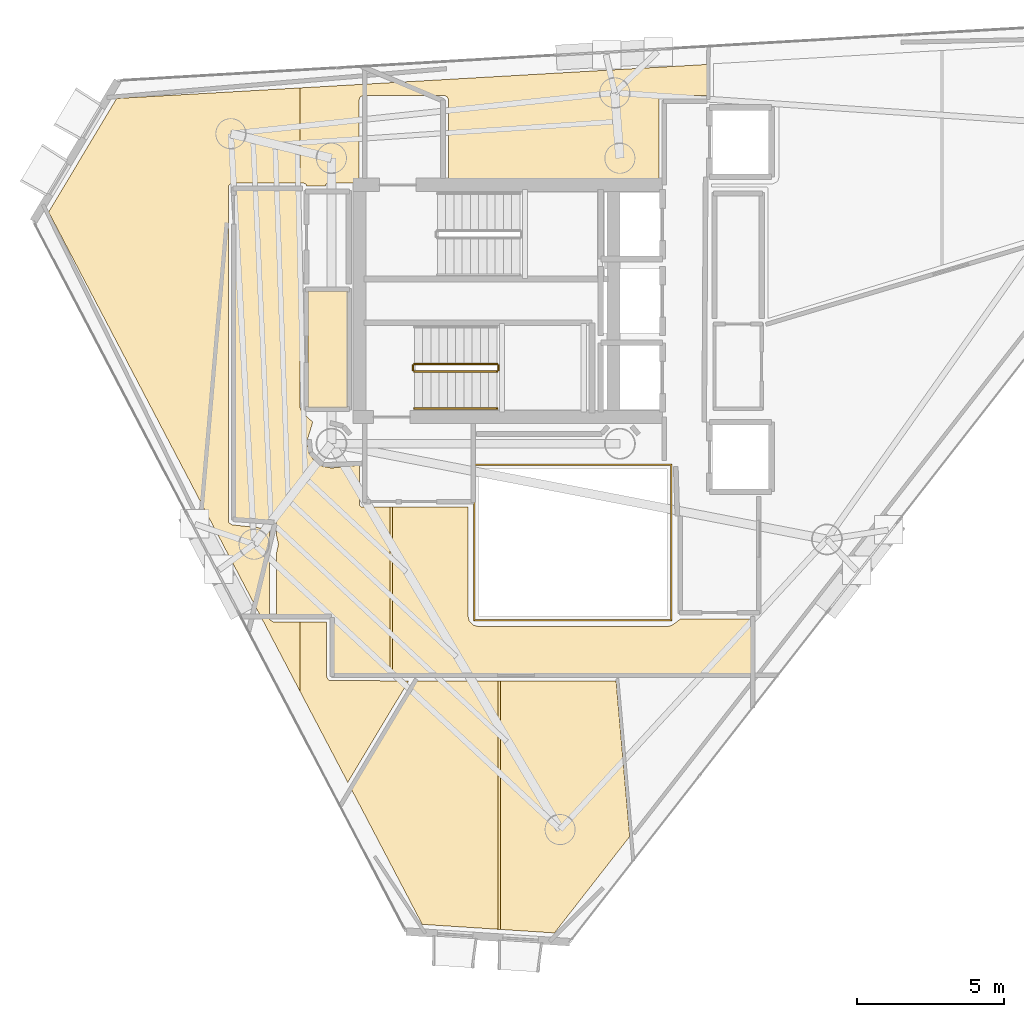
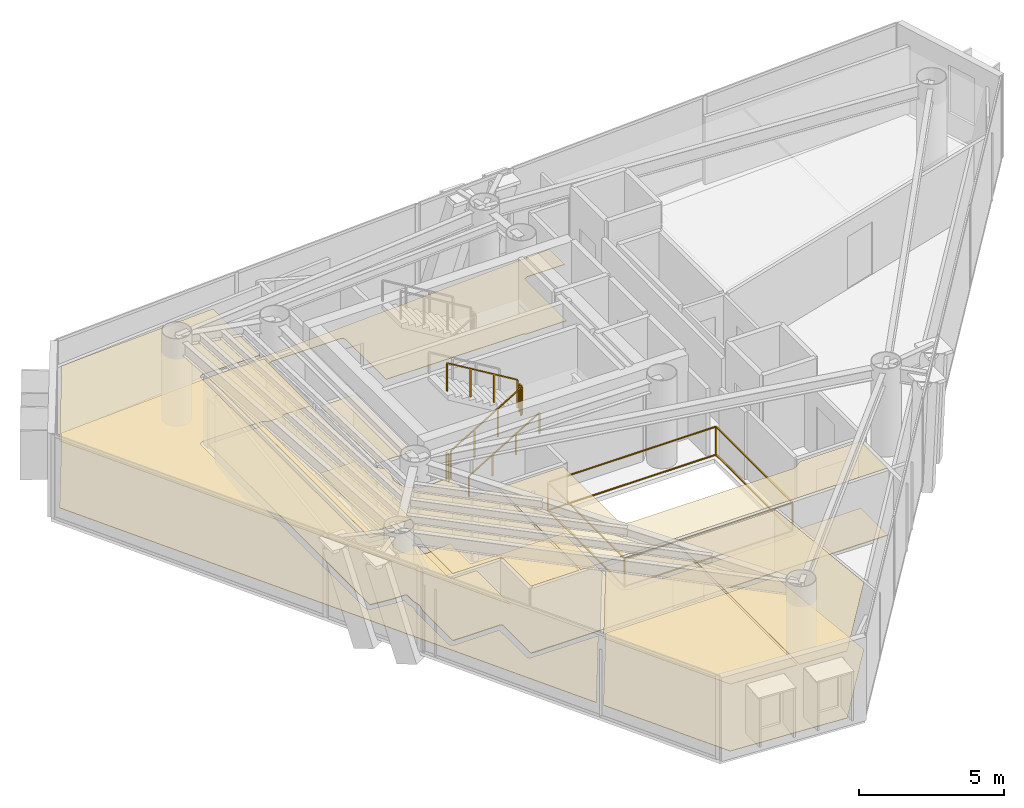
# One storey, part 17 of 18: 10 coverings, 6 railings.
"""IFC4 building model written with IfcOpenShell, lengths in metres."""

import ifcopenshell
import ifcopenshell.guid

model = None  # the IFC model being written
_history = None  # IfcOwnerHistory: only IFC2X3 demands one
_inside = {}  # id of a spatial element -> (the spatial element, [elements in it])
_under = {}  # id of a project, library or spatial element -> (it, [spatial elements below it])
_declared = {}  # id of a project -> (the project, [libraries it declares])
_typed = {}  # id of a type object -> (the type object, [elements of that type])
_made_of = {}  # id of a material, layer set ... -> (it, [elements and type objects made of it])


def new_model(schema):
    """Start an empty IFC model of exactly this schema.

    Asked for "IFC4X3", IfcOpenShell would pick the latest addendum, in which some entities
    have other attributes; the version numbers below select the first issue.
    IFC2X3 requires an IfcOwnerHistory on every rooted entity: one is made here for all.
    """
    global model, _history
    if schema == "IFC4X3":
        model = ifcopenshell.file(schema_version=(4, 3, 0, 0))
    else:
        model = ifcopenshell.file(schema=schema)
    _inside.clear()
    _under.clear()
    _declared.clear()
    _typed.clear()
    _made_of.clear()
    _history = None
    if model.schema == "IFC2X3":
        org = make("IfcOrganization", Name="unknown")
        user = make(
            "IfcPersonAndOrganization",
            ThePerson=make("IfcPerson", FamilyName="unknown"),
            TheOrganization=org,
        )
        app = make(
            "IfcApplication",
            ApplicationDeveloper=org,
            Version="unknown",
            ApplicationFullName="unknown",
            ApplicationIdentifier="unknown",
        )
        _history = make(
            "IfcOwnerHistory",
            OwningUser=user,
            OwningApplication=app,
            ChangeAction="ADDED",
            CreationDate=0,
        )
    return model


def make(cls, **values):
    """One entity of the class cls with the attributes given. An attribute that is None is left unset."""
    return model.create_entity(
        cls, **{name: value for name, value in values.items() if value is not None}
    )


def rooted(cls, **values):
    """An entity with a GlobalId (a new one), such as an element, a storey or a relation."""
    return make(cls, GlobalId=ifcopenshell.guid.new(), OwnerHistory=_history, **values)


def si_unit(unit_type, name, prefix=None):
    """IfcSIUnit, for example si_unit("LENGTHUNIT", "METRE", prefix="MILLI")."""
    return make("IfcSIUnit", UnitType=unit_type, Prefix=prefix, Name=name)


def assignment(units):
    """IfcUnitAssignment: the units of a project."""
    return None if units is None else make("IfcUnitAssignment", Units=units)


def point(xyz):
    """IfcCartesianPoint."""
    return None if xyz is None else make("IfcCartesianPoint", Coordinates=xyz)


def direction(xyz):
    """IfcDirection."""
    return None if xyz is None else make("IfcDirection", DirectionRatios=xyz)


def frame(location, z_axis=None, x_axis=None):
    """IfcAxis2Placement3D, a coordinate frame: its origin and axes. An axis left out is left unset."""
    return make(
        "IfcAxis2Placement3D",
        Location=point(location),
        Axis=direction(z_axis),
        RefDirection=direction(x_axis),
    )


def frame_2d(location, x_axis=None):
    """IfcAxis2Placement2D, a coordinate frame in the plane: its origin and x axis."""
    return make(
        "IfcAxis2Placement2D", Location=point(location), RefDirection=direction(x_axis)
    )


def origin():
    """The frame at (0, 0, 0) with its axes left unset."""
    return frame((0.0, 0.0, 0.0))


def origin_2d():
    """The frame at (0, 0) in the plane with its x axis left unset."""
    return frame_2d((0.0, 0.0))


def place(relative_to, where):
    """IfcLocalPlacement: puts the frame where relative to a parent placement (None: the world)."""
    return make(
        "IfcLocalPlacement", PlacementRelTo=relative_to, RelativePlacement=where
    )


def context(
    kind, dimensions, precision=None, world=None, true_north=None, identifier=None
):
    """IfcGeometricRepresentationContext, for example the 3D "Model" context."""
    return make(
        "IfcGeometricRepresentationContext",
        ContextIdentifier=identifier,
        ContextType=kind,
        CoordinateSpaceDimension=dimensions,
        Precision=precision,
        WorldCoordinateSystem=world,
        TrueNorth=true_north,
    )


def subcontext(parent, identifier, kind, view, scale=None):
    """IfcGeometricRepresentationSubContext, for example "Body" below "Model"."""
    return make(
        "IfcGeometricRepresentationSubContext",
        ContextIdentifier=identifier,
        ContextType=kind,
        ParentContext=parent,
        TargetScale=scale,
        TargetView=view,
    )


def project(units=None, contexts=None):
    """IfcProject with its units and contexts."""
    return rooted(
        "IfcProject",
        Name="project",
        RepresentationContexts=contexts,
        UnitsInContext=assignment(units),
    )


def spatial(cls, under=None, at=None, **own):
    """A site, building, storey or space (cls), placed at a placement, below another one or the project."""
    s = rooted(cls, ObjectPlacement=at, **own)
    if under is not None:
        _under.setdefault(under.id(), (under, []))[1].append(s)
    return s


def polyline(points):
    """IfcPolyline through the points."""
    return make("IfcPolyline", Points=[point(p) for p in points])


def profile(cls, at=None, kind="AREA", **sizes):
    """A parametric profile (cls). Its sizes go by their IFC names, for example OverallWidth=200.0."""
    return make(cls, ProfileType=kind, Position=at, **sizes)


def rectangle(**sizes):
    """IfcRectangleProfileDef."""
    return profile("IfcRectangleProfileDef", **sizes)


def outline(outer, holes=None, kind="AREA"):
    """IfcArbitraryClosedProfileDef: a profile drawn as a closed curve; with holes, ...WithVoids."""
    if holes is None:
        return make("IfcArbitraryClosedProfileDef", ProfileType=kind, OuterCurve=outer)
    return make(
        "IfcArbitraryProfileDefWithVoids",
        ProfileType=kind,
        OuterCurve=outer,
        InnerCurves=holes,
    )


def extrude(swept, where, along, depth):
    """IfcExtrudedAreaSolid: the profile swept, set in the frame where, extruded along a direction by depth."""
    return make(
        "IfcExtrudedAreaSolid",
        SweptArea=swept,
        Position=where,
        ExtrudedDirection=direction(along),
        Depth=depth,
    )


def shape(context_of_items, identifier, shape_type, items):
    """IfcShapeRepresentation: the items that make up one representation, for example the "Body"."""
    return make(
        "IfcShapeRepresentation",
        ContextOfItems=context_of_items,
        RepresentationIdentifier=identifier,
        RepresentationType=shape_type,
        Items=items,
    )


def material(Name=None, Category=None):
    """IfcMaterial."""
    return make("IfcMaterial", Name=Name, Category=Category)


def layer(
    of_material, thickness, ventilated=None, Name=None, Category=None, Priority=None
):
    """IfcMaterialLayer: one layer of a wall or slab, of a material (None: an air gap)."""
    return make(
        "IfcMaterialLayer",
        Material=of_material,
        LayerThickness=thickness,
        IsVentilated=ventilated,
        Name=Name,
        Category=Category,
        Priority=Priority,
    )


def layer_set(layers, Name=None):
    """IfcMaterialLayerSet."""
    return make("IfcMaterialLayerSet", MaterialLayers=layers, LayerSetName=Name)


def made_of(thing, what):
    """Note that an element or type object is made of a material, layer set ...; save() writes the relation."""
    if what is not None:
        _made_of.setdefault(what.id(), (what, []))[1].append(thing)
    return thing


def type_object(cls, material=None, **own):
    """A type object (cls), such as IfcWallType, which elements share."""
    return made_of(rooted(cls, **own), material)


def element(
    cls,
    number,
    at=None,
    inside=None,
    cuts=None,
    type_object=None,
    material=None,
    context=None,
    identifier="Body",
    shape_type=None,
    held_by="IfcProductDefinitionShape",
    body=None,
    shapes=None,
    **own,
):
    """One element of the class cls, such as IfcWall. Its Tag is "e" and its number.

    at: its placement. inside: the storey or other place that contains it. cuts: it is an
    opening in that element (IfcRelVoidsElement). A single representation is given by context,
    identifier, shape_type and body (its items); several are given by shapes. held_by: the class
    of the entity that holds the representations. save() writes the other relations.
    """
    e = rooted(cls, Tag="e%d" % number, ObjectPlacement=at, **own)
    if body is not None:
        shapes = [shape(context, identifier, shape_type, body)]
    if shapes is not None:
        e.Representation = make(held_by, Representations=shapes)
    if inside is not None:
        _inside.setdefault(inside.id(), (inside, []))[1].append(e)
    if cuts is not None:
        rooted(
            "IfcRelVoidsElement", RelatingBuildingElement=cuts, RelatedOpeningElement=e
        )
    if type_object is not None:
        _typed.setdefault(type_object.id(), (type_object, []))[1].append(e)
    return made_of(e, material)


def aggregate(whole, parts):
    """IfcRelAggregates: a whole, such as a stair, and the parts it consists of."""
    return rooted("IfcRelAggregates", RelatingObject=whole, RelatedObjects=parts)


def save(model, path):
    """Write the relations noted so far, then the file.

    IfcRelAggregates (storeys below a building ...), IfcRelContainedInSpatialStructure (elements
    in a storey), IfcRelDefinesByType, IfcRelAssociatesMaterial and IfcRelDeclares: one each for
    every whole, place, type object, material and project.
    """
    for whole, parts in _under.values():
        aggregate(whole, parts)
    for where, things in _inside.values():
        rooted(
            "IfcRelContainedInSpatialStructure",
            RelatedElements=things,
            RelatingStructure=where,
        )
    for kind, things in _typed.values():
        rooted("IfcRelDefinesByType", RelatedObjects=things, RelatingType=kind)
    for what, things in _made_of.values():
        rooted("IfcRelAssociatesMaterial", RelatedObjects=things, RelatingMaterial=what)
    for by, libraries in _declared.values():
        rooted("IfcRelDeclares", RelatingContext=by, RelatedDefinitions=libraries)
    model.write(path)


model = new_model("IFC4")

# Units and contexts
model_context = context("Model", 3, precision=1e-05, world=origin(), true_north=direction((0.0, 1.0)))
body_context = subcontext(model_context, "Body", "Model", "MODEL_VIEW")
ifc_project = project(units=[si_unit("LENGTHUNIT", "METRE"), si_unit("AREAUNIT", "SQUARE_METRE"), si_unit("VOLUMEUNIT", "CUBIC_METRE"), si_unit("PLANEANGLEUNIT", "RADIAN"), si_unit("MASSUNIT", "GRAM", prefix="KILO")], contexts=[model_context])

# Site, building, storey
site_placement = place(None, origin())
site = spatial("IfcSite", under=ifc_project, at=site_placement, CompositionType="ELEMENT")
building_placement = place(site_placement, origin())
building = spatial("IfcBuilding", under=site, at=building_placement, Name="Qianvela Tower", CompositionType="ELEMENT")
storey_placement = place(building_placement, frame((0.0, 0.0, 264.89990234375)))
storey = spatial("IfcBuildingStorey", under=building, at=storey_placement, Name="L68", CompositionType="ELEMENT", Elevation=264.89990234375)

# Coverings
ifc_material_1 = material(Name="Perforated Mineral Acoustic Ceiling Tile")
ifc_layer_1 = layer(ifc_material_1, 0.02490234375)
ifc_layer_set_1 = layer_set([ifc_layer_1], Name="Perforated Mineral Acoustic Ceiling Tile")
covering_type_1 = type_object("IfcCoveringType", Name="COV-CEIL-ACOUSTIC-25", PredefinedType="CEILING", material=ifc_layer_set_1)
covering_1_placement = place(storey_placement, frame((0.0, 0.0, 2.815185546875)))
element("IfcCovering", 1, at=covering_1_placement, inside=storey, type_object=covering_type_1, Name="L68 Acoustic Ceiling L68 Core Tea Pantry West", PredefinedType="CEILING", context=body_context, shape_type="SweptSolid", body=[
    extrude(outline(polyline([(27.800048828125, 25.080078125), (27.800048828125, 29.0400390625), (29.139892578125, 29.0400390625), (29.139892578125, 25.080078125), (27.800048828125, 25.080078125)])), origin(), (0.0, 0.0, 1.0), 0.02490234375),
])
covering_2_placement = place(storey_placement, frame((0.0, 0.0, 2.815185546875)))
element("IfcCovering", 2, at=covering_2_placement, inside=storey, type_object=covering_type_1, Name="L68 Acoustic Ceiling Bay 1 L68 Floor Corridor", PredefinedType="CEILING", context=body_context, shape_type="SweptSolid", body=[
    extrude(outline(polyline([(27.791015625, 24.010986328125), (27.789794921875, 24.003173828125), (27.775390625, 23.85791015625), (27.77490234375, 23.85009765625), (27.775390625, 23.84228515625), (27.776611328125, 23.83447265625), (27.833251953125, 23.54931640625), (27.835205078125, 23.541748046875), (27.837890625, 23.5341796875), (27.84130859375, 23.527099609375), (27.84521484375, 23.5205078125), (28.006591796875, 23.27880859375), (28.011474609375, 23.2724609375), (28.0166015625, 23.2666015625), (28.0224609375, 23.261474609375), (28.02880859375, 23.256591796875), (28.2705078125, 23.09521484375), (28.277099609375, 23.09130859375), (28.2841796875, 23.087890625), (28.291748046875, 23.085205078125), (28.29931640625, 23.083251953125), (28.58447265625, 23.026611328125), (28.59228515625, 23.025390625), (28.60009765625, 23.02490234375), (28.60791015625, 23.025390625), (29.55810546875, 23.118896484375), (29.55810546875, 21.780029296875), (29.558349609375, 21.772216796875), (29.5595703125, 21.764404296875), (29.561279296875, 21.7568359375), (29.564208984375, 21.74951171875), (29.5673828125, 21.7421875), (29.571533203125, 21.735595703125), (29.576171875, 21.729248046875), (29.581298828125, 21.723388671875), (29.587158203125, 21.71826171875), (29.593505859375, 21.71337890625), (29.600341796875, 21.70947265625), (29.607421875, 21.7060546875), (29.61474609375, 21.703369140625), (29.622314453125, 21.701416015625), (29.630126953125, 21.700439453125), (29.637939453125, 21.699951171875), (30.5888671875, 21.699951171875), (30.5888671875, 16.030029296875), (28.679931640625, 16.030029296875), (28.679931640625, 17.949951171875), (28.6796875, 17.957763671875), (28.678466796875, 17.965576171875), (28.676513671875, 17.97314453125), (28.673828125, 17.980712890625), (28.670654296875, 17.98779296875), (28.66650390625, 17.994384765625), (28.661865234375, 18.000732421875), (28.656494140625, 18.006591796875), (28.65087890625, 18.01171875), (28.644287109375, 18.0166015625), (28.6376953125, 18.0205078125), (28.630615234375, 18.02392578125), (28.623291015625, 18.026611328125), (28.615478515625, 18.028564453125), (28.60791015625, 18.029541015625), (28.60009765625, 18.030029296875), (26.72998046875, 18.030029296875), (26.72998046875, 20.123779296875), (26.795166015625, 20.419921875), (26.79638671875, 20.42822265625), (26.797119140625, 20.43701171875), (26.79638671875, 20.44580078125), (26.795166015625, 20.4541015625), (26.72998046875, 20.75), (26.72998046875, 21.14990234375), (26.7294921875, 21.15771484375), (26.728515625, 21.16552734375), (26.7265625, 21.173095703125), (26.723876953125, 21.1806640625), (26.720703125, 21.187744140625), (26.716552734375, 21.1943359375), (26.7119140625, 21.20068359375), (26.70654296875, 21.20654296875), (26.70068359375, 21.2119140625), (26.6943359375, 21.216552734375), (26.687744140625, 21.220703125), (26.6806640625, 21.223876953125), (26.673095703125, 21.2265625), (26.66552734375, 21.228515625), (26.65771484375, 21.2294921875), (26.64990234375, 21.22998046875), (26.18017578125, 21.22998046875), (25.330078125, 21.32470703125), (25.330078125, 32.469970703125), (27.5400390625, 32.469970703125), (27.5400390625, 25.066650390625), (27.540283203125, 25.05908203125), (27.54150390625, 25.051513671875), (27.543212890625, 25.044189453125), (27.545654296875, 25.037109375), (27.548583984375, 25.0302734375), (27.604736328125, 24.919921875), (27.6083984375, 24.91357421875), (27.612548828125, 24.90771484375), (27.6171875, 24.902099609375), (27.622314453125, 24.89697265625), (27.965087890625, 24.58642578125), (27.792724609375, 24.0185546875), (27.791015625, 24.010986328125)])), origin(), (0.0, 0.0, 1.0), 0.02490234375),
])
covering_3_placement = place(storey_placement, frame((0.0, 0.0, 2.815185546875)))
element("IfcCovering", 3, at=covering_3_placement, inside=storey, type_object=covering_type_1, Name="L68 Acoustic Ceiling Bay 2 L68 Floor Corridor", PredefinedType="CEILING", context=body_context, shape_type="SweptSolid", body=[
    extrude(outline(polyline([(33.239990234375, 21.699951171875), (33.239990234375, 18.0), (33.240478515625, 17.990234375), (33.242431640625, 17.980712890625), (33.275390625, 17.8486328125), (33.277587890625, 17.841796875), (33.2802734375, 17.8349609375), (33.283447265625, 17.82861328125), (33.287353515625, 17.822509765625), (33.29150390625, 17.81689453125), (33.29638671875, 17.811279296875), (33.411376953125, 17.696533203125), (33.41796875, 17.690673828125), (33.4248046875, 17.685791015625), (33.432373046875, 17.681396484375), (33.440185546875, 17.677978515625), (33.448486328125, 17.675537109375), (33.58056640625, 17.642333984375), (33.5869140625, 17.64111328125), (33.593505859375, 17.640380859375), (33.60009765625, 17.639892578125), (40.0, 17.639892578125), (40.006591796875, 17.640380859375), (40.012939453125, 17.64111328125), (40.019287109375, 17.642333984375), (40.1513671875, 17.675537109375), (40.15869140625, 17.677734375), (40.166015625, 17.6806640625), (40.172607421875, 17.68408203125), (40.17919921875, 17.6884765625), (40.459228515625, 17.89306640625), (42.8701171875, 17.89990234375), (42.8701171875, 16.030029296875), (30.6689453125, 16.030029296875), (30.6689453125, 21.699951171875), (33.239990234375, 21.699951171875)])), origin(), (0.0, 0.0, 1.0), 0.02490234375),
])
covering_4_placement = place(storey_placement, frame((0.0, 0.0, 2.815185546875)))
element("IfcCovering", 4, at=covering_4_placement, inside=storey, type_object=covering_type_1, Name="L68 Acoustic Ceiling Bay 1 Debate Lecture Classroom L68-01", PredefinedType="CEILING", context=body_context, shape_type="SweptSolid", body=[
    extrude(outline(polyline([(31.507568359375, 15.7900390625), (34.265380859375, 15.7900390625), (34.265380859375, 7.352294921875), (31.685791015625, 7.519287109375), (29.286376953125, 12.093505859375), (31.507568359375, 15.7900390625)])), origin(), (0.0, 0.0, 1.0), 0.02490234375),
])
covering_5_placement = place(storey_placement, frame((0.0, 0.0, 2.815185546875)))
element("IfcCovering", 5, at=covering_5_placement, inside=storey, type_object=covering_type_1, Name="L68 Acoustic Ceiling Bay 2 Debate Lecture Classroom L68-01", PredefinedType="CEILING", context=body_context, shape_type="SweptSolid", body=[
    extrude(outline(polyline([(38.270751953125, 15.7900390625), (38.733154296875, 10.505126953125), (36.17626953125, 7.228515625), (34.345458984375, 7.34716796875), (34.345458984375, 15.7900390625), (38.270751953125, 15.7900390625)])), origin(), (0.0, 0.0, 1.0), 0.02490234375),
])
covering_6_placement = place(storey_placement, frame((0.0, 0.0, 2.815185546875)))
element("IfcCovering", 6, at=covering_6_placement, inside=storey, type_object=covering_type_1, Name="L68 Acoustic Ceiling Bay 1 Print Copy Kiosk L68-03", PredefinedType="CEILING", context=body_context, shape_type="SweptSolid", body=[
    extrude(outline(polyline([(25.25, 32.7099609375), (25.241455078125, 32.70947265625), (25.23291015625, 32.7080078125), (25.224609375, 32.705810546875), (25.216552734375, 32.70263671875), (25.208984375, 32.698486328125), (25.13818359375, 32.65625), (25.131591796875, 32.651611328125), (25.125, 32.646484375), (25.119384765625, 32.640625), (25.1142578125, 32.634033203125), (25.10986328125, 32.627197265625), (25.106201171875, 32.619873046875), (25.103271484375, 32.612060546875), (25.10107421875, 32.60400390625), (25.099853515625, 32.595947265625), (25.099365234375, 32.587646484375), (25.095947265625, 21.222900390625), (25.096435546875, 21.214599609375), (25.09765625, 21.206298828125), (25.099853515625, 21.198486328125), (25.1025390625, 21.19091796875), (25.106201171875, 21.183349609375), (25.110595703125, 21.176513671875), (25.11572265625, 21.170166015625), (25.12158203125, 21.164306640625), (25.127685546875, 21.158935546875), (25.193115234375, 21.109619140625), (25.2001953125, 21.10498046875), (25.20751953125, 21.10107421875), (25.215576171875, 21.097900390625), (25.223876953125, 21.095458984375), (25.232421875, 21.093994140625), (26.157958984375, 20.990966796875), (26.166748046875, 20.990478515625), (26.489990234375, 20.989990234375), (26.490478515625, 20.732666015625), (26.490966796875, 20.72412109375), (26.4921875, 20.715576171875), (26.55322265625, 20.436767578125), (26.49169921875, 20.1494140625), (26.490478515625, 20.14111328125), (26.489990234375, 20.13232421875), (26.49609375, 17.919189453125), (26.49658203125, 17.911376953125), (26.497802734375, 17.903564453125), (26.49951171875, 17.89599609375), (26.502197265625, 17.888671875), (26.505615234375, 17.881591796875), (26.509521484375, 17.875), (26.514404296875, 17.86865234375), (26.51953125, 17.86279296875), (26.525390625, 17.857421875), (26.531494140625, 17.852783203125), (26.605712890625, 17.803466796875), (26.6123046875, 17.79931640625), (26.619384765625, 17.796142578125), (26.626708984375, 17.79345703125), (26.634521484375, 17.79150390625), (26.64208984375, 17.790283203125), (26.64990234375, 17.7900390625), (27.52734375, 17.7900390625), (27.52734375, 15.44677734375), (18.990234375, 31.72119140625), (21.303466796875, 35.580810546875), (27.52734375, 35.939453125), (27.52734375, 32.7099609375), (25.25, 32.7099609375)])), origin(), (0.0, 0.0, 1.0), 0.02490234375),
])
ifc_material_2 = material(Name="Engineered Acoustic Oak Timber Flooring", Category="wood")
ifc_layer_2 = layer(ifc_material_2, 0.02001953125)
ifc_layer_set_2 = layer_set([ifc_layer_2], Name="Engineered Acoustic Oak Timber Flooring")
covering_type_2 = type_object("IfcCoveringType", Name="COV-FLOOR-OAK-20", PredefinedType="FLOORING", material=ifc_layer_set_2)
covering_7_placement = place(storey_placement, origin())
element("IfcCovering", 7, at=covering_7_placement, inside=storey, type_object=covering_type_2, Name="L68 Finish Flooring L68 Core Tea Pantry West", PredefinedType="FLOORING", context=body_context, shape_type="SweptSolid", body=[
    extrude(outline(polyline([(27.800048828125, 25.080078125), (27.800048828125, 29.0400390625), (29.139892578125, 29.0400390625), (29.139892578125, 25.080078125), (27.800048828125, 25.080078125)])), origin(), (0.0, 0.0, 1.0), 0.02001953125),
])
covering_8_placement = place(storey_placement, origin())
element("IfcCovering", 8, at=covering_8_placement, inside=storey, type_object=covering_type_2, Name="L68 Finish Flooring Debate Lecture Classroom L68-01", PredefinedType="FLOORING", context=body_context, shape_type="SweptSolid", body=[
    extrude(outline(polyline([(29.286376953125, 12.093505859375), (31.507568359375, 15.7900390625), (38.270751953125, 15.7900390625), (38.733154296875, 10.505126953125), (36.17626953125, 7.228515625), (31.685791015625, 7.519287109375), (29.286376953125, 12.093505859375)])), origin(), (0.0, 0.0, 1.0), 0.02001953125),
])
covering_9_placement = place(storey_placement, origin())
element("IfcCovering", 9, at=covering_9_placement, inside=storey, type_object=covering_type_2, Name="L68 Finish Flooring Print Copy Kiosk L68-03", PredefinedType="FLOORING", context=body_context, shape_type="SweptSolid", body=[
    extrude(outline(polyline([(29.5400390625, 32.700439453125), (28.54296875, 32.709716796875), (28.53662109375, 32.70947265625), (28.530029296875, 32.708740234375), (28.4677734375, 32.69921875), (28.460205078125, 32.697509765625), (28.452880859375, 32.6953125), (28.446044921875, 32.6923828125), (28.439208984375, 32.688720703125), (28.432861328125, 32.6845703125), (28.427001953125, 32.6796875), (28.42138671875, 32.674560546875), (28.41650390625, 32.668701171875), (28.412109375, 32.662353515625), (28.408447265625, 32.65576171875), (28.405517578125, 32.648681640625), (28.403076171875, 32.6416015625), (28.4013671875, 32.634033203125), (28.400390625, 32.62646484375), (28.39892578125, 32.609619140625), (27.7626953125, 32.607666015625), (27.759521484375, 32.6201171875), (27.757080078125, 32.62744140625), (27.754150390625, 32.634765625), (27.75048828125, 32.6416015625), (27.74609375, 32.648193359375), (27.7412109375, 32.654296875), (27.735595703125, 32.659912109375), (27.7294921875, 32.6650390625), (27.722900390625, 32.66943359375), (27.716064453125, 32.673095703125), (27.654296875, 32.702392578125), (27.647705078125, 32.705078125), (27.64111328125, 32.707275390625), (27.634033203125, 32.708740234375), (27.627197265625, 32.709716796875), (27.6201171875, 32.7099609375), (25.25, 32.7099609375), (25.241455078125, 32.70947265625), (25.23291015625, 32.7080078125), (25.224609375, 32.705810546875), (25.216552734375, 32.70263671875), (25.208984375, 32.698486328125), (25.13818359375, 32.65625), (25.131591796875, 32.651611328125), (25.125, 32.646484375), (25.119384765625, 32.640625), (25.1142578125, 32.634033203125), (25.10986328125, 32.627197265625), (25.106201171875, 32.619873046875), (25.103271484375, 32.612060546875), (25.10107421875, 32.60400390625), (25.099853515625, 32.595947265625), (25.099365234375, 32.587646484375), (25.095947265625, 21.222900390625), (25.096435546875, 21.214599609375), (25.09765625, 21.206298828125), (25.099853515625, 21.198486328125), (25.1025390625, 21.19091796875), (25.106201171875, 21.183349609375), (25.110595703125, 21.176513671875), (25.11572265625, 21.170166015625), (25.12158203125, 21.164306640625), (25.127685546875, 21.158935546875), (25.193115234375, 21.109619140625), (25.2001953125, 21.10498046875), (25.20751953125, 21.10107421875), (25.215576171875, 21.097900390625), (25.223876953125, 21.095458984375), (25.232421875, 21.093994140625), (26.157958984375, 20.990966796875), (26.166748046875, 20.990478515625), (26.489990234375, 20.989990234375), (26.490478515625, 20.732666015625), (26.490966796875, 20.72412109375), (26.4921875, 20.715576171875), (26.55322265625, 20.436767578125), (26.49169921875, 20.1494140625), (26.490478515625, 20.14111328125), (26.489990234375, 20.13232421875), (26.49609375, 17.919189453125), (26.49658203125, 17.911376953125), (26.497802734375, 17.903564453125), (26.49951171875, 17.89599609375), (26.502197265625, 17.888671875), (26.505615234375, 17.881591796875), (26.509521484375, 17.875), (26.514404296875, 17.86865234375), (26.51953125, 17.86279296875), (26.525390625, 17.857421875), (26.531494140625, 17.852783203125), (26.605712890625, 17.803466796875), (26.6123046875, 17.79931640625), (26.619384765625, 17.796142578125), (26.626708984375, 17.79345703125), (26.634521484375, 17.79150390625), (26.64208984375, 17.790283203125), (26.64990234375, 17.7900390625), (28.43994140625, 17.7900390625), (28.43994140625, 15.949951171875), (28.4404296875, 15.941162109375), (28.44189453125, 15.9326171875), (28.4443359375, 15.924072265625), (28.44775390625, 15.915771484375), (28.476806640625, 15.85400390625), (28.480712890625, 15.8466796875), (28.4853515625, 15.840087890625), (28.490478515625, 15.833740234375), (28.496337890625, 15.828125), (28.502685546875, 15.822998046875), (28.509765625, 15.818603515625), (28.51708984375, 15.81494140625), (28.524658203125, 15.81201171875), (28.532470703125, 15.809814453125), (28.54052734375, 15.80859375), (28.548583984375, 15.80810546875), (31.223388671875, 15.791015625), (29.15380859375, 12.34619140625), (18.990234375, 31.72119140625), (21.303466796875, 35.580810546875), (41.35986328125, 36.736572265625), (41.354248046875, 35.679931640625), (39.8798828125, 35.679931640625), (39.872314453125, 35.6796875), (39.864501953125, 35.678466796875), (39.856689453125, 35.676513671875), (39.849365234375, 35.673828125), (39.84228515625, 35.670654296875), (39.835693359375, 35.66650390625), (39.76171875, 35.6171875), (39.75537109375, 35.612548828125), (39.74951171875, 35.607177734375), (39.744384765625, 35.601318359375), (39.739501953125, 35.59521484375), (39.735595703125, 35.58837890625), (39.732177734375, 35.581298828125), (39.7294921875, 35.573974609375), (39.727783203125, 35.56640625), (39.7265625, 35.55859375), (39.72607421875, 35.55078125), (39.72021484375, 32.719970703125), (38.125, 32.719970703125), (38.03369140625, 32.762451171875), (38.025634765625, 32.765625), (38.017333984375, 32.76806640625), (38.0087890625, 32.76953125), (38.0, 32.77001953125), (32.580078125, 32.77001953125), (32.580078125, 35.52001953125), (32.57958984375, 35.52783203125), (32.57861328125, 35.53564453125), (32.57666015625, 35.543212890625), (32.573974609375, 35.550537109375), (32.550537109375, 35.607177734375), (32.547119140625, 35.6142578125), (32.543212890625, 35.62109375), (32.538330078125, 35.627197265625), (32.533203125, 35.633056640625), (32.52734375, 35.638427734375), (32.52099609375, 35.64306640625), (32.514404296875, 35.647216796875), (32.507080078125, 35.650390625), (32.45068359375, 35.673828125), (32.443115234375, 35.676513671875), (32.435546875, 35.678466796875), (32.427734375, 35.6796875), (32.419921875, 35.679931640625), (29.699951171875, 35.679931640625), (29.692138671875, 35.6796875), (29.684326171875, 35.678466796875), (29.6767578125, 35.676513671875), (29.66943359375, 35.673828125), (29.61279296875, 35.650390625), (29.605712890625, 35.647216796875), (29.59912109375, 35.64306640625), (29.5927734375, 35.638427734375), (29.5869140625, 35.633056640625), (29.58154296875, 35.627197265625), (29.576904296875, 35.62109375), (29.572998046875, 35.6142578125), (29.569580078125, 35.607177734375), (29.546142578125, 35.550537109375), (29.54345703125, 35.543212890625), (29.54150390625, 35.53564453125), (29.540283203125, 35.52783203125), (29.5400390625, 35.52001953125), (29.5400390625, 32.700439453125)])), origin(), (0.0, 0.0, 1.0), 0.02001953125),
])
ifc_material_3 = material(Name="Honed Stone Terrazzo Flooring", Category="masonry")
ifc_layer_3 = layer(ifc_material_3, 0.030029296875)
ifc_layer_set_3 = layer_set([ifc_layer_3], Name="Honed Stone Terrazzo Flooring")
covering_type_3 = type_object("IfcCoveringType", Name="COV-FLOOR-TERRAZZO-30", PredefinedType="FLOORING", material=ifc_layer_set_3)
covering_10_placement = place(storey_placement, origin())
element("IfcCovering", 10, at=covering_10_placement, inside=storey, type_object=covering_type_3, Name="L68 Finish Flooring L68 Floor Corridor", PredefinedType="FLOORING", context=body_context, shape_type="SweptSolid", body=[
    extrude(outline(polyline([(27.792724609375, 24.0185546875), (27.791015625, 24.010986328125), (27.789794921875, 24.003173828125), (27.775390625, 23.85791015625), (27.77490234375, 23.85009765625), (27.775390625, 23.84228515625), (27.776611328125, 23.83447265625), (27.833251953125, 23.54931640625), (27.835205078125, 23.541748046875), (27.837890625, 23.5341796875), (27.84130859375, 23.527099609375), (27.84521484375, 23.5205078125), (28.006591796875, 23.27880859375), (28.011474609375, 23.2724609375), (28.0166015625, 23.2666015625), (28.0224609375, 23.261474609375), (28.02880859375, 23.256591796875), (28.2705078125, 23.09521484375), (28.277099609375, 23.09130859375), (28.2841796875, 23.087890625), (28.291748046875, 23.085205078125), (28.29931640625, 23.083251953125), (28.58447265625, 23.026611328125), (28.59228515625, 23.025390625), (28.60009765625, 23.02490234375), (28.60791015625, 23.025390625), (29.55810546875, 23.118896484375), (29.55810546875, 21.780029296875), (29.558349609375, 21.772216796875), (29.5595703125, 21.764404296875), (29.561279296875, 21.7568359375), (29.564208984375, 21.74951171875), (29.5673828125, 21.7421875), (29.571533203125, 21.735595703125), (29.576171875, 21.729248046875), (29.581298828125, 21.723388671875), (29.587158203125, 21.71826171875), (29.593505859375, 21.71337890625), (29.600341796875, 21.70947265625), (29.607421875, 21.7060546875), (29.61474609375, 21.703369140625), (29.622314453125, 21.701416015625), (29.630126953125, 21.700439453125), (29.637939453125, 21.699951171875), (33.239990234375, 21.699951171875), (33.239990234375, 18.0), (33.240478515625, 17.990234375), (33.242431640625, 17.980712890625), (33.275390625, 17.8486328125), (33.277587890625, 17.841796875), (33.2802734375, 17.8349609375), (33.283447265625, 17.82861328125), (33.287353515625, 17.822509765625), (33.29150390625, 17.81689453125), (33.29638671875, 17.811279296875), (33.411376953125, 17.696533203125), (33.41796875, 17.690673828125), (33.4248046875, 17.685791015625), (33.432373046875, 17.681396484375), (33.440185546875, 17.677978515625), (33.448486328125, 17.675537109375), (33.58056640625, 17.642333984375), (33.5869140625, 17.64111328125), (33.593505859375, 17.640380859375), (33.60009765625, 17.639892578125), (40.0, 17.639892578125), (40.006591796875, 17.640380859375), (40.012939453125, 17.64111328125), (40.019287109375, 17.642333984375), (40.1513671875, 17.675537109375), (40.15869140625, 17.677734375), (40.166015625, 17.6806640625), (40.172607421875, 17.68408203125), (40.17919921875, 17.6884765625), (40.459228515625, 17.89306640625), (42.8701171875, 17.89990234375), (42.8701171875, 16.030029296875), (28.679931640625, 16.030029296875), (28.679931640625, 17.949951171875), (28.6796875, 17.957763671875), (28.678466796875, 17.965576171875), (28.676513671875, 17.97314453125), (28.673828125, 17.980712890625), (28.670654296875, 17.98779296875), (28.66650390625, 17.994384765625), (28.661865234375, 18.000732421875), (28.656494140625, 18.006591796875), (28.65087890625, 18.01171875), (28.644287109375, 18.0166015625), (28.6376953125, 18.0205078125), (28.630615234375, 18.02392578125), (28.623291015625, 18.026611328125), (28.615478515625, 18.028564453125), (28.60791015625, 18.029541015625), (28.60009765625, 18.030029296875), (26.72998046875, 18.030029296875), (26.72998046875, 20.123779296875), (26.795166015625, 20.419921875), (26.79638671875, 20.42822265625), (26.797119140625, 20.43701171875), (26.79638671875, 20.44580078125), (26.795166015625, 20.4541015625), (26.72998046875, 20.75), (26.72998046875, 21.14990234375), (26.7294921875, 21.15771484375), (26.728515625, 21.16552734375), (26.7265625, 21.173095703125), (26.723876953125, 21.1806640625), (26.720703125, 21.187744140625), (26.716552734375, 21.1943359375), (26.7119140625, 21.20068359375), (26.70654296875, 21.20654296875), (26.70068359375, 21.2119140625), (26.6943359375, 21.216552734375), (26.687744140625, 21.220703125), (26.6806640625, 21.223876953125), (26.673095703125, 21.2265625), (26.66552734375, 21.228515625), (26.65771484375, 21.2294921875), (26.64990234375, 21.22998046875), (26.18017578125, 21.22998046875), (25.330078125, 21.32470703125), (25.330078125, 32.469970703125), (27.5400390625, 32.469970703125), (27.5400390625, 25.066650390625), (27.540283203125, 25.05908203125), (27.54150390625, 25.051513671875), (27.543212890625, 25.044189453125), (27.545654296875, 25.037109375), (27.548583984375, 25.0302734375), (27.604736328125, 24.919921875), (27.6083984375, 24.91357421875), (27.612548828125, 24.90771484375), (27.6171875, 24.902099609375), (27.622314453125, 24.89697265625), (27.965087890625, 24.58642578125), (27.792724609375, 24.0185546875)])), origin(), (0.0, 0.0, 1.0), 0.030029296875),
])

# Railings
ifc_material_4 = material(Name="Laminated Safety Glass and Stainless Steel 316", Category="steel")
railing_type_1 = type_object("IfcRailingType", Name="RL-ATRIUM-GUARD-1250", PredefinedType="GUARDRAIL", material=ifc_material_4)
railing_1_placement = place(storey_placement, frame((33.4599609375, 17.860107421875, 0.0)))
element("IfcRailing", 11, at=railing_1_placement, inside=storey, type_object=railing_type_1, Name="L68 Atrium Edge Guardrail 1", PredefinedType="GUARDRAIL", context=body_context, shape_type="SweptSolid", body=[
    extrude(rectangle(XDim=0.050048828125, YDim=0.0400390625, at=origin_2d()), frame((0.0, 0.0, 1.22998046875), z_axis=(0.0, 1.0, 0.0), x_axis=(-1.0, 0.0, 0.0)), (0.0, 0.0, 1.0), 5.27978515625),
    extrude(rectangle(XDim=0.050048828125, YDim=0.0400390625, at=origin_2d()), frame((0.0, 0.0, 0.050048828125), z_axis=(0.0, 1.0, 0.0), x_axis=(-1.0, 0.0, 0.0)), (0.0, 0.0, 1.0), 5.27978515625),
    extrude(rectangle(XDim=0.050048828125, YDim=0.0400390625, at=origin_2d()), frame((0.0, 5.27978515625, 1.22998046875), z_axis=(1.0, 0.0, 0.0), x_axis=(0.0, 1.0, 0.0)), (0.0, 0.0, 1.0), 6.679931640625),
    extrude(rectangle(XDim=0.050048828125, YDim=0.0400390625, at=origin_2d()), frame((0.0, 5.27978515625, 0.050048828125), z_axis=(1.0, 0.0, 0.0), x_axis=(0.0, 1.0, 0.0)), (0.0, 0.0, 1.0), 6.679931640625),
    extrude(rectangle(XDim=0.050048828125, YDim=0.0400390625, at=origin_2d()), frame((6.679931640625, 5.27978515625, 1.22998046875), z_axis=(0.0, -1.0, 0.0), x_axis=(1.0, 0.0, 0.0)), (0.0, 0.0, 1.0), 5.27978515625),
    extrude(rectangle(XDim=0.050048828125, YDim=0.0400390625, at=origin_2d()), frame((6.679931640625, 5.27978515625, 0.050048828125), z_axis=(0.0, -1.0, 0.0), x_axis=(1.0, 0.0, 0.0)), (0.0, 0.0, 1.0), 5.27978515625),
    extrude(rectangle(XDim=0.050048828125, YDim=0.0400390625, at=origin_2d()), frame((6.679931640625, 0.0, 1.22998046875), z_axis=(-1.0, 0.0, 0.0), x_axis=(0.0, -1.0, 0.0)), (0.0, 0.0, 1.0), 6.679931640625),
    extrude(rectangle(XDim=0.050048828125, YDim=0.0400390625, at=origin_2d()), frame((6.679931640625, 0.0, 0.050048828125), z_axis=(-1.0, 0.0, 0.0), x_axis=(0.0, -1.0, 0.0)), (0.0, 0.0, 1.0), 6.679931640625),
    extrude(rectangle(XDim=0.050048828125, YDim=0.050048828125, at=origin_2d()), origin(), (0.0, 0.0, 1.0), 1.2099609375),
    extrude(rectangle(XDim=0.050048828125, YDim=0.050048828125, at=origin_2d()), frame((0.0, 5.27978515625, 0.0)), (0.0, 0.0, 1.0), 1.2099609375),
    extrude(rectangle(XDim=0.050048828125, YDim=0.050048828125, at=origin_2d()), frame((6.679931640625, 5.27978515625, 0.0)), (0.0, 0.0, 1.0), 1.2099609375),
    extrude(rectangle(XDim=0.050048828125, YDim=0.050048828125, at=origin_2d()), frame((6.679931640625, 0.0, 0.0)), (0.0, 0.0, 1.0), 1.2099609375),
])
ifc_material_5 = material(Name="Painted Tubular Steel Q355B", Category="steel")
railing_type_2 = type_object("IfcRailingType", Name="RL-STAIR-GUARD-1200", PredefinedType="GUARDRAIL", material=ifc_material_5)
railing_2_placement = place(storey_placement, frame((31.419921875, 26.300048828125, 0.168212890625)))
element("IfcRailing", 12, at=railing_2_placement, inside=storey, type_object=railing_type_2, Name="L68 ST-2 stair guard 1", PredefinedType="GUARDRAIL", context=body_context, shape_type="SweptSolid", body=[
    extrude(rectangle(XDim=0.050048828125, YDim=0.0400390625, at=origin_2d()), frame((0.0, 0.0, 1.179931640625), z_axis=(0.857242210791, 0.0, 0.514913383045), x_axis=(0.0, 1.0, 0.0)), (0.0, 0.0, 1.0), 3.266357421875),
    extrude(rectangle(XDim=0.050048828125, YDim=0.050048828125, at=origin_2d()), origin(), (0.0, 0.0, 1.0), 1.159912109375),
    extrude(rectangle(XDim=0.050048828125, YDim=0.050048828125, at=origin_2d()), frame((0.933349609375, 0.0, 0.560546875)), (0.0, 0.0, 1.0), 1.159912109375),
    extrude(rectangle(XDim=0.050048828125, YDim=0.050048828125, at=origin_2d()), frame((1.86669921875, 0.0, 1.121337890625)), (0.0, 0.0, 1.0), 1.159912109375),
    extrude(rectangle(XDim=0.050048828125, YDim=0.050048828125, at=origin_2d()), frame((2.800048828125, 0.0, 1.681884765625)), (0.0, 0.0, 1.0), 1.159912109375),
])
railing_3_placement = place(storey_placement, frame((34.27001953125, 26.35009765625, 1.85009765625)))
element("IfcRailing", 13, at=railing_3_placement, inside=storey, type_object=railing_type_2, Name="L68 ST-2 stair guard 2", PredefinedType="GUARDRAIL", context=body_context, shape_type="SweptSolid", body=[
    extrude(rectangle(XDim=0.050048828125, YDim=0.0400390625, at=origin_2d()), frame((0.0, 0.0, 1.179931640625), z_axis=(0.0, 1.0, 0.0), x_axis=(-1.0, 0.0, 0.0)), (0.0, 0.0, 1.0), 0.159912109375),
    extrude(rectangle(XDim=0.050048828125, YDim=0.050048828125, at=origin_2d()), origin(), (0.0, 0.0, 1.0), 1.159912109375),
    extrude(rectangle(XDim=0.050048828125, YDim=0.050048828125, at=origin_2d()), frame((0.0, 0.159912109375, 0.0)), (0.0, 0.0, 1.0), 1.159912109375),
])
railing_4_placement = place(storey_placement, frame((34.219970703125, 26.56005859375, 2.018310546875)))
element("IfcRailing", 14, at=railing_4_placement, inside=storey, type_object=railing_type_2, Name="L68 ST-2 stair guard 3", PredefinedType="GUARDRAIL", context=body_context, shape_type="SweptSolid", body=[
    extrude(rectangle(XDim=0.050048828125, YDim=0.0400390625, at=origin_2d()), frame((0.0, 0.0, 1.179931640625), z_axis=(-0.857242210791, 0.0, 0.514913383045), x_axis=(0.0, -1.0, 0.0)), (0.0, 0.0, 1.0), 3.266357421875),
    extrude(rectangle(XDim=0.050048828125, YDim=0.050048828125, at=origin_2d()), origin(), (0.0, 0.0, 1.0), 1.159912109375),
    extrude(rectangle(XDim=0.050048828125, YDim=0.050048828125, at=origin_2d()), frame((-0.933349609375, 0.0, 0.560546875)), (0.0, 0.0, 1.0), 1.159912109375),
    extrude(rectangle(XDim=0.050048828125, YDim=0.050048828125, at=origin_2d()), frame((-1.86669921875, 0.0, 1.121337890625)), (0.0, 0.0, 1.0), 1.159912109375),
    extrude(rectangle(XDim=0.050048828125, YDim=0.050048828125, at=origin_2d()), frame((-2.800048828125, 0.0, 1.681884765625)), (0.0, 0.0, 1.0), 1.159912109375),
])
railing_5_placement = place(storey_placement, frame((31.3701171875, 26.35009765625, 0.0)))
element("IfcRailing", 15, at=railing_5_placement, inside=storey, type_object=railing_type_2, Name="L68 ST-2 stair guard 4", PredefinedType="GUARDRAIL", context=body_context, shape_type="SweptSolid", body=[
    extrude(rectangle(XDim=0.050048828125, YDim=0.0400390625, at=origin_2d()), frame((0.0, 0.0, 1.179931640625), z_axis=(0.0, 1.0, 0.0), x_axis=(-1.0, 0.0, 0.0)), (0.0, 0.0, 1.0), 0.159912109375),
    extrude(rectangle(XDim=0.050048828125, YDim=0.050048828125, at=origin_2d()), origin(), (0.0, 0.0, 1.0), 1.159912109375),
    extrude(rectangle(XDim=0.050048828125, YDim=0.050048828125, at=origin_2d()), frame((0.0, 0.159912109375, 0.0)), (0.0, 0.0, 1.0), 1.159912109375),
])
ifc_material_6 = material(Name="Brushed Stainless Steel 304", Category="steel")
railing_type_3 = type_object("IfcRailingType", Name="RL-STAIR-HANDRAIL-900", PredefinedType="HANDRAIL", material=ifc_material_6)
railing_6_placement = place(storey_placement, frame((31.419921875, 25.050048828125, 0.168212890625)))
element("IfcRailing", 16, at=railing_6_placement, inside=storey, type_object=railing_type_3, Name="L68 ST-2 stair handrail 1", PredefinedType="HANDRAIL", context=body_context, shape_type="SweptSolid", body=[
    extrude(rectangle(XDim=0.050048828125, YDim=0.0400390625, at=origin_2d()), frame((0.0, 0.0, 0.8798828125), z_axis=(0.857242210791, 0.0, 0.514913383045), x_axis=(0.0, 1.0, 0.0)), (0.0, 0.0, 1.0), 3.266357421875),
    extrude(rectangle(XDim=0.050048828125, YDim=0.050048828125, at=origin_2d()), origin(), (0.0, 0.0, 1.0), 0.85986328125),
    extrude(rectangle(XDim=0.050048828125, YDim=0.050048828125, at=origin_2d()), frame((0.933349609375, 0.0, 0.560546875)), (0.0, 0.0, 1.0), 0.85986328125),
    extrude(rectangle(XDim=0.050048828125, YDim=0.050048828125, at=origin_2d()), frame((1.86669921875, 0.0, 1.121337890625)), (0.0, 0.0, 1.0), 0.85986328125),
    extrude(rectangle(XDim=0.050048828125, YDim=0.050048828125, at=origin_2d()), frame((2.800048828125, 0.0, 1.681884765625)), (0.0, 0.0, 1.0), 0.85986328125),
])

save(model, "model.ifc")
